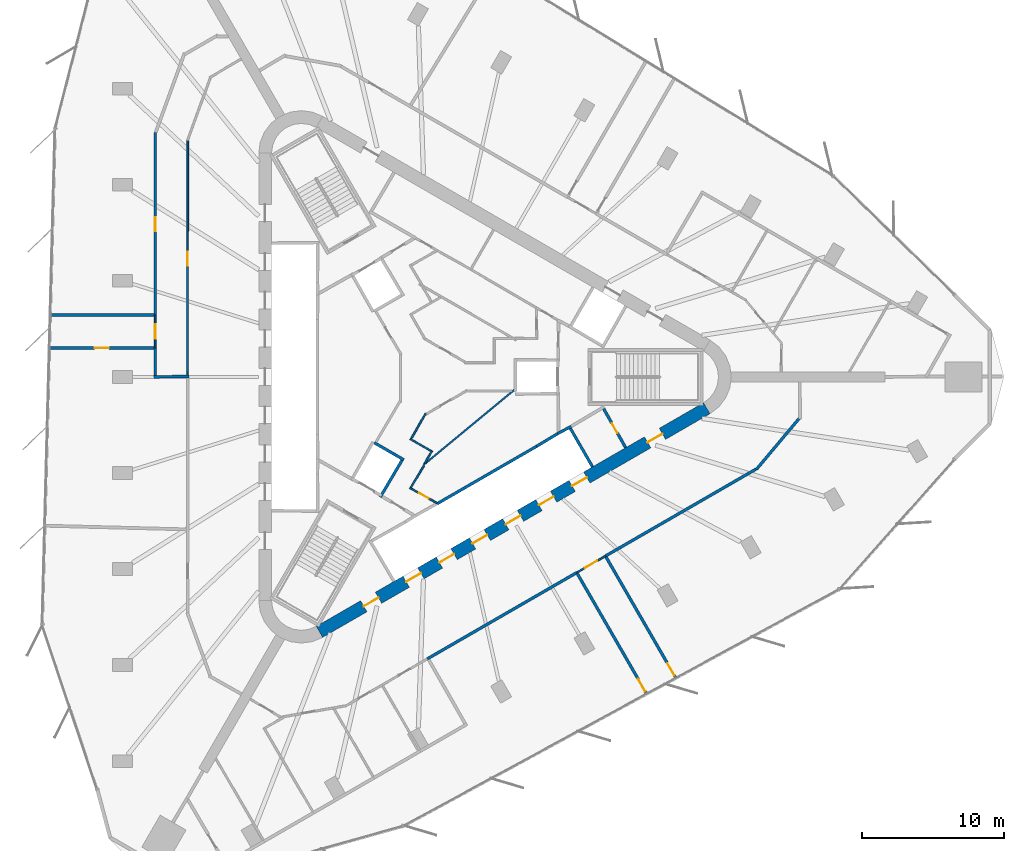
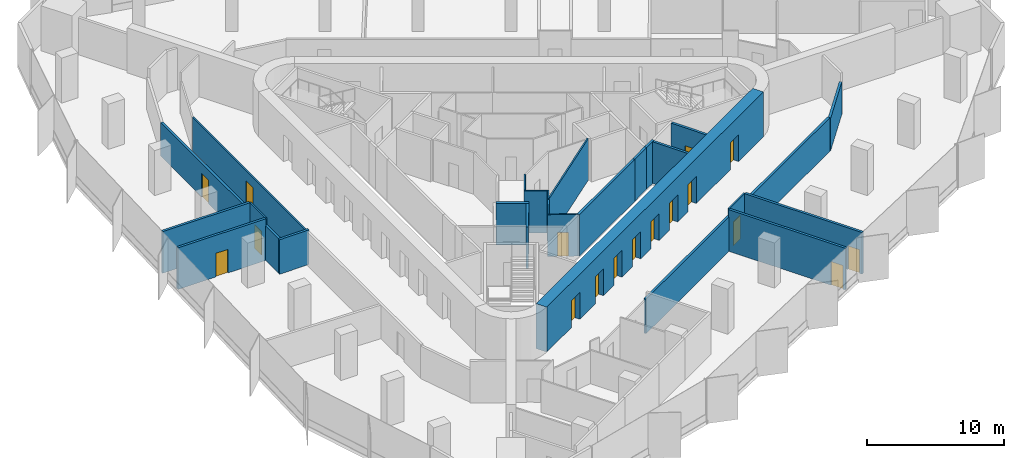
# One storey, part 9 of 14: 27 walls, 17 doors, 17 openings.
"""IFC4 building model written with IfcOpenShell, lengths in metres."""

from ifc_helpers import new_model, si_unit, direction, frame, frame_2d, origin, place, context, subcontext, project, spatial, rectangle, extrude, material, layer, layer_set, type_object, element, fill, save


model = new_model("IFC4")

# Units and contexts
model_context = context("Model", 3, precision=1e-05, world=origin(), true_north=direction((0.0, 1.0)))
body_context = subcontext(model_context, "Body", "Model", "MODEL_VIEW")
ifc_project = project(units=[si_unit("LENGTHUNIT", "METRE"), si_unit("AREAUNIT", "SQUARE_METRE"), si_unit("VOLUMEUNIT", "CUBIC_METRE"), si_unit("PLANEANGLEUNIT", "RADIAN"), si_unit("MASSUNIT", "GRAM", prefix="KILO")], contexts=[model_context])

# Site, building, storey
site_placement = place(None, origin())
site = spatial("IfcSite", under=ifc_project, at=site_placement, CompositionType="ELEMENT")
building_placement = place(site_placement, origin())
building = spatial("IfcBuilding", under=site, at=building_placement, Name="Tanit Gate Tower", CompositionType="ELEMENT")
storey_placement = place(building_placement, frame((0.0, 0.0, 245.199951171875)))
storey = spatial("IfcBuildingStorey", under=building, at=storey_placement, Name="L55", CompositionType="ELEMENT", Elevation=245.199951171875)

# Wall, openings, doors
ifc_material_1 = material(Name="Concrete C50/60", Category="concrete")
ifc_layer_1 = layer(ifc_material_1, 0.89990234375)
ifc_layer_set_1 = layer_set([ifc_layer_1], Name="CORE WALL 900 C50/60")
wall_type_1 = type_object("IfcWallType", Name="CORE WALL 900 C50/60", PredefinedType="SHEAR", material=ifc_layer_set_1)
wall_1_placement = place(storey_placement, frame((-7.824951171875, -17.969970703125, 0.0), z_axis=(0.0, 0.0, 1.0), x_axis=(0.866028369851, 0.499994862586, 0.0)))
wall_1 = element("IfcWall", 1, at=wall_1_placement, inside=storey, type_object=wall_type_1, Name="CORE WALL", PredefinedType="SHEAR", context=body_context, shape_type="SweptSolid", body=[
    extrude(rectangle(XDim=31.523193359375, YDim=0.89990234375, at=frame_2d((15.76171875, 0.0))), origin(), (0.0, 0.0, 1.0), 4.0),
])
opening_1_placement = place(wall_1_placement, frame((7.061767578125, 0.0, 0.0)))
opening_1 = element("IfcOpeningElement", 2, at=opening_1_placement, cuts=wall_1, Name="Opening LDSX1-S15", PredefinedType="OPENING", context=body_context, shape_type="SweptSolid", body=[
    extrude(rectangle(XDim=1.199951171875, YDim=2.39990234375, at=frame_2d((0.60009765625, 1.199951171875))), frame((0.0, 0.4599609375, 0.0), z_axis=(0.0, -1.0, 0.0), x_axis=(1.0, 0.0, 0.0)), (0.0, 0.0, 1.0), 0.919921875),
])
opening_2_placement = place(wall_1_placement, frame((9.76171875, 0.0, 0.0)))
opening_2 = element("IfcOpeningElement", 3, at=opening_2_placement, cuts=wall_1, Name="Opening LDSX2-S15", PredefinedType="OPENING", context=body_context, shape_type="SweptSolid", body=[
    extrude(rectangle(XDim=1.199951171875, YDim=2.39990234375, at=frame_2d((0.60009765625, 1.199951171875))), frame((0.0, 0.4599609375, 0.0), z_axis=(0.0, -1.0, 0.0), x_axis=(1.0, 0.0, 0.0)), (0.0, 0.0, 1.0), 0.919921875),
])
opening_3_placement = place(wall_1_placement, frame((12.461669921875, 0.0, 0.0)))
opening_3 = element("IfcOpeningElement", 4, at=opening_3_placement, cuts=wall_1, Name="Opening LDSX3-S15", PredefinedType="OPENING", context=body_context, shape_type="SweptSolid", body=[
    extrude(rectangle(XDim=1.199951171875, YDim=2.39990234375, at=frame_2d((0.60009765625, 1.199951171875))), frame((0.0, 0.4599609375, 0.0), z_axis=(0.0, -1.0, 0.0), x_axis=(1.0, 0.0, 0.0)), (0.0, 0.0, 1.0), 0.919921875),
])
opening_4_placement = place(wall_1_placement, frame((15.16162109375, 0.0, 0.0)))
opening_4 = element("IfcOpeningElement", 5, at=opening_4_placement, cuts=wall_1, Name="Opening LDSX4-S15", PredefinedType="OPENING", context=body_context, shape_type="SweptSolid", body=[
    extrude(rectangle(XDim=1.199951171875, YDim=2.39990234375, at=frame_2d((0.60009765625, 1.199951171875))), frame((0.0, 0.4599609375, 0.0), z_axis=(0.0, -1.0, 0.0), x_axis=(1.0, 0.0, 0.0)), (0.0, 0.0, 1.0), 0.919921875),
])
opening_5_placement = place(wall_1_placement, frame((17.861572265625, 0.0, 0.0)))
opening_5 = element("IfcOpeningElement", 6, at=opening_5_placement, cuts=wall_1, Name="Opening LDSV1-S15", PredefinedType="OPENING", context=body_context, shape_type="SweptSolid", body=[
    extrude(rectangle(XDim=1.199951171875, YDim=2.39990234375, at=frame_2d((0.60009765625, 1.199951171875))), frame((0.0, 0.4599609375, 0.0), z_axis=(0.0, -1.0, 0.0), x_axis=(1.0, 0.0, 0.0)), (0.0, 0.0, 1.0), 0.919921875),
])
opening_6_placement = place(wall_1_placement, frame((20.561767578125, 0.0, 0.0)))
opening_6 = element("IfcOpeningElement", 7, at=opening_6_placement, cuts=wall_1, Name="Opening LDSV2-S15", PredefinedType="OPENING", context=body_context, shape_type="SweptSolid", body=[
    extrude(rectangle(XDim=1.199951171875, YDim=2.39990234375, at=frame_2d((0.60009765625, 1.199951171875))), frame((0.0, 0.4599609375, 0.0), z_axis=(0.0, -1.0, 0.0), x_axis=(1.0, 0.0, 0.0)), (0.0, 0.0, 1.0), 0.919921875),
])
opening_7_placement = place(wall_1_placement, frame((26.711669921875, 0.0, 0.0)))
opening_7 = element("IfcOpeningElement", 8, at=opening_7_placement, cuts=wall_1, Name="Opening F12-S15-S1", PredefinedType="OPENING", context=body_context, shape_type="SweptSolid", body=[
    extrude(rectangle(XDim=1.199951171875, YDim=2.39990234375, at=frame_2d((0.60009765625, 1.199951171875))), frame((0.0, 0.4599609375, 0.0), z_axis=(0.0, -1.0, 0.0), x_axis=(1.0, 0.0, 0.0)), (0.0, 0.0, 1.0), 0.919921875),
])
opening_8_placement = place(wall_1_placement, frame((3.611572265625, 0.0, 0.0)))
opening_8 = element("IfcOpeningElement", 9, at=opening_8_placement, cuts=wall_1, Name="Opening F12-S15-FL3", PredefinedType="OPENING", context=body_context, shape_type="SweptSolid", body=[
    extrude(rectangle(XDim=1.199951171875, YDim=2.39990234375, at=frame_2d((0.60009765625, 1.199951171875))), frame((0.0, 0.4599609375, 0.0), z_axis=(0.0, -1.0, 0.0), x_axis=(1.0, 0.0, 0.0)), (0.0, 0.0, 1.0), 0.919921875),
])
ifc_material_2 = material(Name="Fire-rated steel door leaf", Category="steel")
door_type_1 = type_object("IfcDoorType", Name="INT-DOOR-FIRE-LOBBY-1200", OperationType="NOTDEFINED", PredefinedType="USERDEFINED", material=ifc_material_2)
door_1_placement = place(opening_7_placement, origin())
door_1 = element("IfcDoor", 10, at=door_1_placement, inside=storey, type_object=door_type_1, Name="Door F12-S15-S1", ObjectType="FIRE DOOR", OperationType="SINGLE_SWING_RIGHT", OverallHeight=2.39990234375, OverallWidth=1.199951171875, PredefinedType="USERDEFINED", context=body_context, shape_type="SweptSolid", body=[
    extrude(rectangle(XDim=1.199951171875, YDim=2.39990234375, at=frame_2d((0.60009765625, 1.199951171875))), frame((0.0, 0.02490234375, 0.0), z_axis=(0.0, -1.0, 0.0), x_axis=(1.0, 0.0, 0.0)), (0.0, 0.0, 1.0), 0.050048828125),
])
fill(opening_7, door_1)
door_2_placement = place(opening_8_placement, origin())
door_2 = element("IfcDoor", 11, at=door_2_placement, inside=storey, type_object=door_type_1, Name="Door F12-S15-FL3", ObjectType="FIRE DOOR", OperationType="SINGLE_SWING_LEFT", OverallHeight=2.39990234375, OverallWidth=1.199951171875, PredefinedType="USERDEFINED", context=body_context, shape_type="SweptSolid", body=[
    extrude(rectangle(XDim=1.199951171875, YDim=2.39990234375, at=frame_2d((0.60009765625, 1.199951171875))), frame((0.0, 0.02490234375, 0.0), z_axis=(0.0, -1.0, 0.0), x_axis=(1.0, 0.0, 0.0)), (0.0, 0.0, 1.0), 0.050048828125),
])
fill(opening_8, door_2)
ifc_material_3 = material(Name="Stainless steel sliding door leaf", Category="steel")
door_type_2 = type_object("IfcDoorType", Name="INT-DOOR-LANDING-1200", OperationType="NOTDEFINED", PredefinedType="USERDEFINED", material=ifc_material_3)
door_3_placement = place(opening_1_placement, origin())
door_3 = element("IfcDoor", 12, at=door_3_placement, inside=storey, type_object=door_type_2, Name="Door LDSX1-S15", ObjectType="LANDING DOOR", OperationType="SLIDING_TO_LEFT", OverallHeight=2.39990234375, OverallWidth=1.199951171875, PredefinedType="USERDEFINED", context=body_context, shape_type="SweptSolid", body=[
    extrude(rectangle(XDim=1.199951171875, YDim=2.39990234375, at=frame_2d((0.60009765625, 1.199951171875))), frame((0.0, 0.02490234375, 0.0), z_axis=(0.0, -1.0, 0.0), x_axis=(1.0, 0.0, 0.0)), (0.0, 0.0, 1.0), 0.050048828125),
])
fill(opening_1, door_3)
door_4_placement = place(opening_2_placement, origin())
door_4 = element("IfcDoor", 13, at=door_4_placement, inside=storey, type_object=door_type_2, Name="Door LDSX2-S15", ObjectType="LANDING DOOR", OperationType="SLIDING_TO_LEFT", OverallHeight=2.39990234375, OverallWidth=1.199951171875, PredefinedType="USERDEFINED", context=body_context, shape_type="SweptSolid", body=[
    extrude(rectangle(XDim=1.199951171875, YDim=2.39990234375, at=frame_2d((0.60009765625, 1.199951171875))), frame((0.0, 0.02490234375, 0.0), z_axis=(0.0, -1.0, 0.0), x_axis=(1.0, 0.0, 0.0)), (0.0, 0.0, 1.0), 0.050048828125),
])
fill(opening_2, door_4)
door_5_placement = place(opening_3_placement, origin())
door_5 = element("IfcDoor", 14, at=door_5_placement, inside=storey, type_object=door_type_2, Name="Door LDSX3-S15", ObjectType="LANDING DOOR", OperationType="SLIDING_TO_LEFT", OverallHeight=2.39990234375, OverallWidth=1.199951171875, PredefinedType="USERDEFINED", context=body_context, shape_type="SweptSolid", body=[
    extrude(rectangle(XDim=1.199951171875, YDim=2.39990234375, at=frame_2d((0.60009765625, 1.199951171875))), frame((0.0, 0.02490234375, 0.0), z_axis=(0.0, -1.0, 0.0), x_axis=(1.0, 0.0, 0.0)), (0.0, 0.0, 1.0), 0.050048828125),
])
fill(opening_3, door_5)
door_6_placement = place(opening_4_placement, origin())
door_6 = element("IfcDoor", 15, at=door_6_placement, inside=storey, type_object=door_type_2, Name="Door LDSX4-S15", ObjectType="LANDING DOOR", OperationType="SLIDING_TO_LEFT", OverallHeight=2.39990234375, OverallWidth=1.199951171875, PredefinedType="USERDEFINED", context=body_context, shape_type="SweptSolid", body=[
    extrude(rectangle(XDim=1.199951171875, YDim=2.39990234375, at=frame_2d((0.60009765625, 1.199951171875))), frame((0.0, 0.02490234375, 0.0), z_axis=(0.0, -1.0, 0.0), x_axis=(1.0, 0.0, 0.0)), (0.0, 0.0, 1.0), 0.050048828125),
])
fill(opening_4, door_6)
door_7_placement = place(opening_5_placement, origin())
door_7 = element("IfcDoor", 16, at=door_7_placement, inside=storey, type_object=door_type_2, Name="Door LDSV1-S15", ObjectType="LANDING DOOR", OperationType="SLIDING_TO_LEFT", OverallHeight=2.39990234375, OverallWidth=1.199951171875, PredefinedType="USERDEFINED", context=body_context, shape_type="SweptSolid", body=[
    extrude(rectangle(XDim=1.199951171875, YDim=2.39990234375, at=frame_2d((0.60009765625, 1.199951171875))), frame((0.0, 0.02490234375, 0.0), z_axis=(0.0, -1.0, 0.0), x_axis=(1.0, 0.0, 0.0)), (0.0, 0.0, 1.0), 0.050048828125),
])
fill(opening_5, door_7)
door_8_placement = place(opening_6_placement, origin())
door_8 = element("IfcDoor", 17, at=door_8_placement, inside=storey, type_object=door_type_2, Name="Door LDSV2-S15", ObjectType="LANDING DOOR", OperationType="SLIDING_TO_LEFT", OverallHeight=2.39990234375, OverallWidth=1.199951171875, PredefinedType="USERDEFINED", context=body_context, shape_type="SweptSolid", body=[
    extrude(rectangle(XDim=1.199951171875, YDim=2.39990234375, at=frame_2d((0.60009765625, 1.199951171875))), frame((0.0, 0.02490234375, 0.0), z_axis=(0.0, -1.0, 0.0), x_axis=(1.0, 0.0, 0.0)), (0.0, 0.0, 1.0), 0.050048828125),
])
fill(opening_6, door_8)

# Wall, opening, door
ifc_material_4 = material(Name="Fire-rated gypsum board partition")
ifc_layer_2 = layer(ifc_material_4, 0.199951171875)
ifc_layer_set_2 = layer_set([ifc_layer_2], Name="INT-WALL-COMPARTMENT")
wall_type_2 = type_object("IfcWallType", Name="INT-WALL-COMPARTMENT", PredefinedType="PARTITIONING", material=ifc_layer_set_2)
wall_2_placement = place(storey_placement, frame((13.758056640625, -4.989501953125, 0.0), z_axis=(0.0, 0.0, 1.0), x_axis=(-0.491993409184, 0.87059892334, 0.0)))
wall_2 = element("IfcWall", 18, at=wall_2_placement, inside=storey, type_object=wall_type_2, Name="Wall Compartment W058", PredefinedType="PARTITIONING", context=body_context, shape_type="SweptSolid", body=[
    extrude(rectangle(XDim=3.150146484375, YDim=0.199951171875, at=frame_2d((1.5751953125, 0.0))), origin(), (0.0, 0.0, 1.0), 3.699951171875),
])
opening_9_placement = place(wall_2_placement, frame((1.175048828125, 0.0, 0.0)))
opening_9 = element("IfcOpeningElement", 19, at=opening_9_placement, cuts=wall_2, Name="Opening R08-S15-17", PredefinedType="OPENING", context=body_context, shape_type="SweptSolid", body=[
    extrude(rectangle(XDim=0.800048828125, YDim=2.10009765625, at=frame_2d((0.39990234375, 1.050048828125))), frame((0.0, 0.10986328125, 0.0), z_axis=(0.0, -1.0, 0.0), x_axis=(1.0, 0.0, 0.0)), (0.0, 0.0, 1.0), 0.219970703125),
])
ifc_material_5 = material(Name="Timber door leaf", Category="wood")
door_type_3 = type_object("IfcDoorType", Name="INT-DOOR-RISER-800", OperationType="NOTDEFINED", PredefinedType="USERDEFINED", material=ifc_material_5)
door_9_placement = place(opening_9_placement, origin())
door_9 = element("IfcDoor", 20, at=door_9_placement, inside=storey, type_object=door_type_3, Name="Door R08-S15-17", ObjectType="FIRE DOOR", OperationType="SINGLE_SWING_LEFT", OverallHeight=2.10009765625, OverallWidth=0.800048828125, PredefinedType="USERDEFINED", context=body_context, shape_type="SweptSolid", body=[
    extrude(rectangle(XDim=0.800048828125, YDim=2.10009765625, at=frame_2d((0.39990234375, 1.050048828125))), frame((0.0, 0.02490234375, 0.0), z_axis=(0.0, -1.0, 0.0), x_axis=(1.0, 0.0, 0.0)), (0.0, 0.0, 1.0), 0.050048828125),
])
fill(opening_9, door_9)

# Wall
wall_3_placement = place(storey_placement, frame((-19.5, -0.001220703125, 0.0), z_axis=(0.0, 0.0, 1.0), x_axis=(0.999915662945, 0.012987185857, 0.0)))
element("IfcWall", 21, at=wall_3_placement, inside=storey, type_object=wall_type_2, Name="Wall Compartment W092", PredefinedType="PARTITIONING", context=body_context, shape_type="SweptSolid", body=[
    extrude(rectangle(XDim=2.500244140625, YDim=0.199951171875, at=frame_2d((1.25, 0.0))), origin(), (0.0, 0.0, 1.0), 3.070068359375),
])

# Wall, opening, door
wall_4_placement = place(storey_placement, frame((-19.39990234375, 17.228271484375, 0.0), z_axis=(0.0, 0.0, 1.0), x_axis=(0.0, -1.0, 0.0)))
wall_4 = element("IfcWall", 22, at=wall_4_placement, inside=storey, type_object=wall_type_2, Name="Wall Compartment W094", PredefinedType="PARTITIONING", context=body_context, shape_type="SweptSolid", body=[
    extrude(rectangle(XDim=12.878173828125, YDim=0.199951171875, at=frame_2d((6.43896484375, 0.0))), origin(), (0.0, 0.0, 1.0), 2.97998046875),
])
opening_10_placement = place(wall_4_placement, frame((5.97900390625, 0.0, 0.0)))
opening_10 = element("IfcOpeningElement", 23, at=opening_10_placement, cuts=wall_4, Name="Opening F10-S15-33", PredefinedType="OPENING", context=body_context, shape_type="SweptSolid", body=[
    extrude(rectangle(XDim=1.0, YDim=2.10009765625, at=frame_2d((0.5, 1.050048828125))), frame((0.0, 0.10986328125, 0.0), z_axis=(0.0, -1.0, 0.0), x_axis=(1.0, 0.0, 0.0)), (0.0, 0.0, 1.0), 0.219970703125),
])
ifc_material_6 = material(Name="Fire-rated steel door leaf", Category="steel")
door_type_4 = type_object("IfcDoorType", Name="INT-DOOR-FIRE-1000", OperationType="NOTDEFINED", PredefinedType="USERDEFINED", material=ifc_material_6)
door_10_placement = place(opening_10_placement, origin())
door_10 = element("IfcDoor", 24, at=door_10_placement, inside=storey, type_object=door_type_4, Name="Door F10-S15-33", ObjectType="FIRE DOOR", OperationType="SINGLE_SWING_LEFT", OverallHeight=2.10009765625, OverallWidth=1.0, PredefinedType="USERDEFINED", context=body_context, shape_type="SweptSolid", body=[
    extrude(rectangle(XDim=1.0, YDim=2.10009765625, at=frame_2d((0.5, 1.050048828125))), frame((0.0, 0.02490234375, 0.0), z_axis=(0.0, -1.0, 0.0), x_axis=(1.0, 0.0, 0.0)), (0.0, 0.0, 1.0), 0.050048828125),
])
fill(opening_10, door_10)

# Walls
wall_5_placement = place(storey_placement, frame((-19.39990234375, 2.050048828125, 0.0), z_axis=(0.0, 0.0, 1.0), x_axis=(0.0, -1.0, 0.0)))
element("IfcWall", 25, at=wall_5_placement, inside=storey, type_object=wall_type_2, Name="Wall Compartment W093", PredefinedType="PARTITIONING", context=body_context, shape_type="SweptSolid", body=[
    extrude(rectangle(XDim=1.949951171875, YDim=0.199951171875, at=frame_2d((0.97509765625, 0.0))), origin(), (0.0, 0.0, 1.0), 3.070068359375),
])
wall_6_placement = place(storey_placement, frame((22.968017578125, -6.5244140625, 0.0), z_axis=(0.0, 0.0, 1.0), x_axis=(0.642764400317, 0.766063917493, 0.0)))
element("IfcWall", 26, at=wall_6_placement, inside=storey, type_object=wall_type_2, Name="Wall Compartment W115", PredefinedType="PARTITIONING", context=body_context, shape_type="SweptSolid", body=[
    extrude(rectangle(XDim=4.740234375, YDim=0.199951171875, at=frame_2d((2.3701171875, 0.0))), origin(), (0.0, 0.0, 1.0), 2.880126953125),
])
wall_7_placement = place(storey_placement, frame((-0.222900390625, -19.8740234375, 0.0), z_axis=(0.0, 0.0, 1.0), x_axis=(0.866025366729, 0.500000064182, 0.0)))
element("IfcWall", 27, at=wall_7_placement, inside=storey, type_object=wall_type_2, Name="Wall Compartment W117", PredefinedType="PARTITIONING", context=body_context, shape_type="SweptSolid", body=[
    extrude(rectangle(XDim=12.18017578125, YDim=0.199951171875, at=frame_2d((6.090087890625, 0.0))), origin(), (0.0, 0.0, 1.0), 3.070068359375),
])
wall_8_placement = place(storey_placement, frame((12.317138671875, -12.634033203125, 0.0), z_axis=(0.0, 0.0, 1.0), x_axis=(0.866028561818, 0.499994530085, 0.0)))
element("IfcWall", 28, at=wall_8_placement, inside=storey, type_object=wall_type_2, Name="Wall Compartment W116", PredefinedType="PARTITIONING", context=body_context, shape_type="SweptSolid", body=[
    extrude(rectangle(XDim=12.272705078125, YDim=0.199951171875, at=frame_2d((6.13623046875, 0.0))), origin(), (0.0, 0.0, 1.0), 2.97998046875),
])

# Wall, opening, door
wall_9_placement = place(storey_placement, frame((-26.858154296875, 2.030029296875, 0.0), z_axis=(0.0, 0.0, 1.0), x_axis=(1.0, 0.0, 0.0)))
wall_9 = element("IfcWall", 29, at=wall_9_placement, inside=storey, type_object=wall_type_2, Name="Wall Compartment W123", PredefinedType="PARTITIONING", context=body_context, shape_type="SweptSolid", body=[
    extrude(rectangle(XDim=7.398193359375, YDim=0.199951171875, at=frame_2d((3.69921875, 0.0))), origin(), (0.0, 0.0, 1.0), 3.699951171875),
])
opening_11_placement = place(wall_9_placement, frame((3.198974609375, 0.0, 0.0)))
opening_11 = element("IfcOpeningElement", 30, at=opening_11_placement, cuts=wall_9, Name="Opening F10-S15-32", PredefinedType="OPENING", context=body_context, shape_type="SweptSolid", body=[
    extrude(rectangle(XDim=1.0, YDim=2.10009765625, at=frame_2d((0.5, 1.050048828125))), frame((0.0, 0.10986328125, 0.0), z_axis=(0.0, -1.0, 0.0), x_axis=(1.0, 0.0, 0.0)), (0.0, 0.0, 1.0), 0.219970703125),
])
door_11_placement = place(opening_11_placement, origin())
door_11 = element("IfcDoor", 31, at=door_11_placement, inside=storey, type_object=door_type_4, Name="Door F10-S15-32", ObjectType="FIRE DOOR", OperationType="SINGLE_SWING_LEFT", OverallHeight=2.10009765625, OverallWidth=1.0, PredefinedType="USERDEFINED", context=body_context, shape_type="SweptSolid", body=[
    extrude(rectangle(XDim=1.0, YDim=2.10009765625, at=frame_2d((0.5, 1.050048828125))), frame((0.0, 0.02490234375, 0.0), z_axis=(0.0, -1.0, 0.0), x_axis=(1.0, 0.0, 0.0)), (0.0, 0.0, 1.0), 0.050048828125),
])
fill(opening_11, door_11)

# Wall
wall_10_placement = place(storey_placement, frame((-19.4599609375, 4.3701171875, 0.0), z_axis=(0.0, 0.0, 1.0), x_axis=(-1.0, 0.0, 0.0)))
element("IfcWall", 32, at=wall_10_placement, inside=storey, type_object=wall_type_2, Name="Wall Compartment W124", PredefinedType="PARTITIONING", context=body_context, shape_type="SweptSolid", body=[
    extrude(rectangle(XDim=7.33740234375, YDim=0.199951171875, at=frame_2d((3.668701171875, 0.0))), origin(), (0.0, 0.0, 1.0), 3.699951171875),
])

# Wall, opening, door
wall_11_placement = place(storey_placement, frame((17.296630859375, -21.218505859375, 0.0), z_axis=(0.0, 0.0, 1.0), x_axis=(-0.500009542791, 0.866019894181, 0.0)))
wall_11 = element("IfcWall", 33, at=wall_11_placement, inside=storey, type_object=wall_type_2, Name="Wall Compartment W142", PredefinedType="PARTITIONING", context=body_context, shape_type="SweptSolid", body=[
    extrude(rectangle(XDim=9.864013671875, YDim=0.199951171875, at=frame_2d((4.93212890625, 0.0))), origin(), (0.0, 0.0, 1.0), 3.699951171875),
])
opening_12_placement = place(wall_11_placement, frame((0.199951171875, 0.0, 0.0)))
opening_12 = element("IfcOpeningElement", 34, at=opening_12_placement, cuts=wall_11, Name="Opening F10-S15-37", PredefinedType="OPENING", context=body_context, shape_type="SweptSolid", body=[
    extrude(rectangle(XDim=1.0, YDim=2.10009765625, at=frame_2d((0.5, 1.050048828125))), frame((0.0, 0.10986328125, 0.0), z_axis=(0.0, -1.0, 0.0), x_axis=(1.0, 0.0, 0.0)), (0.0, 0.0, 1.0), 0.219970703125),
])
door_12_placement = place(opening_12_placement, origin())
door_12 = element("IfcDoor", 35, at=door_12_placement, inside=storey, type_object=door_type_4, Name="Door F10-S15-37", ObjectType="FIRE DOOR", OperationType="SINGLE_SWING_RIGHT", OverallHeight=2.10009765625, OverallWidth=1.0, PredefinedType="USERDEFINED", context=body_context, shape_type="SweptSolid", body=[
    extrude(rectangle(XDim=1.0, YDim=2.10009765625, at=frame_2d((0.5, 1.050048828125))), frame((0.0, 0.02490234375, 0.0), z_axis=(0.0, -1.0, 0.0), x_axis=(1.0, 0.0, 0.0)), (0.0, 0.0, 1.0), 0.050048828125),
])
fill(opening_12, door_12)

wall_12_placement = place(storey_placement, frame((10.338134765625, -13.845947265625, 0.0), z_axis=(0.0, 0.0, 1.0), x_axis=(0.499993357938, -0.866029238547, 0.0)))
wall_12 = element("IfcWall", 36, at=wall_12_placement, inside=storey, type_object=wall_type_2, Name="Wall Compartment W143", PredefinedType="PARTITIONING", context=body_context, shape_type="SweptSolid", body=[
    extrude(rectangle(XDim=9.803466796875, YDim=0.199951171875, at=frame_2d((4.90185546875, 0.0))), origin(), (0.0, 0.0, 1.0), 3.699951171875),
])
opening_13_placement = place(wall_12_placement, frame((8.603515625, 0.0, 0.0)))
opening_13 = element("IfcOpeningElement", 37, at=opening_13_placement, cuts=wall_12, Name="Opening F10-S15-38", PredefinedType="OPENING", context=body_context, shape_type="SweptSolid", body=[
    extrude(rectangle(XDim=1.0, YDim=2.10009765625, at=frame_2d((0.5, 1.050048828125))), frame((0.0, 0.10986328125, 0.0), z_axis=(0.0, -1.0, 0.0), x_axis=(1.0, 0.0, 0.0)), (0.0, 0.0, 1.0), 0.219970703125),
])
door_13_placement = place(opening_13_placement, origin())
door_13 = element("IfcDoor", 38, at=door_13_placement, inside=storey, type_object=door_type_4, Name="Door F10-S15-38", ObjectType="FIRE DOOR", OperationType="SINGLE_SWING_RIGHT", OverallHeight=2.10009765625, OverallWidth=1.0, PredefinedType="USERDEFINED", context=body_context, shape_type="SweptSolid", body=[
    extrude(rectangle(XDim=1.0, YDim=2.10009765625, at=frame_2d((0.5, 1.050048828125))), frame((0.0, 0.02490234375, 0.0), z_axis=(0.0, -1.0, 0.0), x_axis=(1.0, 0.0, 0.0)), (0.0, 0.0, 1.0), 0.050048828125),
])
fill(opening_13, door_13)

# Walls
ifc_material_7 = material(Name="Gypsum board partition")
ifc_layer_3 = layer(ifc_material_7, 0.1201171875)
ifc_layer_set_3 = layer_set([ifc_layer_3], Name="INT-WALL-PARTITION")
wall_type_3 = type_object("IfcWallType", Name="INT-WALL-PARTITION", PredefinedType="PARTITIONING", material=ifc_layer_set_3)
wall_13_placement = place(storey_placement, frame((5.935546875, -0.893798828125, 0.0), z_axis=(0.0, 0.0, 1.0), x_axis=(-0.770832870475, -0.637037428881, 0.0)))
element("IfcWall", 39, at=wall_13_placement, inside=storey, type_object=wall_type_3, Name="Wall Partition W068", PredefinedType="PARTITIONING", context=body_context, shape_type="SweptSolid", body=[
    extrude(rectangle(XDim=8.331787109375, YDim=0.1201171875, at=frame_2d((4.166015625, 0.0))), origin(), (0.0, 0.0, 1.0), 3.699951171875),
])
wall_14_placement = place(storey_placement, frame((-0.41064453125, -6.111328125, 0.0), z_axis=(0.0, 0.0, 1.0), x_axis=(0.49986229611, 0.866104892567, 0.0)))
element("IfcWall", 40, at=wall_14_placement, inside=storey, type_object=wall_type_3, Name="Wall Partition W069", PredefinedType="PARTITIONING", context=body_context, shape_type="SweptSolid", body=[
    extrude(rectangle(XDim=1.057861328125, YDim=0.1201171875, at=frame_2d((0.52880859375, 0.0))), origin(), (0.0, 0.0, 1.0), 3.699951171875),
])
wall_15_placement = place(storey_placement, frame((-1.43603515625, -4.3671875, 0.0), z_axis=(0.0, 0.0, 1.0), x_axis=(0.866087547558, -0.499892348375, 0.0)))
element("IfcWall", 41, at=wall_15_placement, inside=storey, type_object=wall_type_3, Name="Wall Partition W070", PredefinedType="PARTITIONING", context=body_context, shape_type="SweptSolid", body=[
    extrude(rectangle(XDim=1.699951171875, YDim=0.1201171875, at=frame_2d((0.85009765625, 0.0))), origin(), (0.0, 0.0, 1.0), 3.699951171875),
])
wall_16_placement = place(storey_placement, frame((-0.337646484375, -2.5849609375, 0.0), z_axis=(0.0, 0.0, 1.0), x_axis=(-0.50002743572, -0.866009563185, 0.0)))
element("IfcWall", 42, at=wall_16_placement, inside=storey, type_object=wall_type_3, Name="Wall Partition W071", PredefinedType="PARTITIONING", context=body_context, shape_type="SweptSolid", body=[
    extrude(rectangle(XDim=2.03271484375, YDim=0.1201171875, at=frame_2d((1.016357421875, 0.0))), origin(), (0.0, 0.0, 1.0), 3.699951171875),
])

# Wall, opening, door
wall_17_placement = place(storey_placement, frame((-1.464111328125, -7.81591796875, 0.0), z_axis=(0.0, 0.0, 1.0), x_axis=(0.871880202732, -0.489719217597, 0.0)))
wall_17 = element("IfcWall", 43, at=wall_17_placement, inside=storey, type_object=wall_type_3, Name="Wall Partition W074", PredefinedType="PARTITIONING", context=body_context, shape_type="SweptSolid", body=[
    extrude(rectangle(XDim=2.224365234375, YDim=0.1201171875, at=frame_2d((1.1123046875, 0.0))), origin(), (0.0, 0.0, 1.0), 3.699951171875),
])
opening_14_placement = place(wall_17_placement, frame((0.7421875, 0.0, 0.0)))
opening_14 = element("IfcOpeningElement", 44, at=opening_14_placement, cuts=wall_17, Name="Opening R08-S15-12", PredefinedType="OPENING", context=body_context, shape_type="SweptSolid", body=[
    extrude(rectangle(XDim=0.800048828125, YDim=2.10009765625, at=frame_2d((0.39990234375, 1.050048828125))), frame((0.0, 0.070068359375, 0.0), z_axis=(0.0, -1.0, 0.0), x_axis=(1.0, 0.0, 0.0)), (0.0, 0.0, 1.0), 0.14013671875),
])
door_14_placement = place(opening_14_placement, origin())
door_14 = element("IfcDoor", 45, at=door_14_placement, inside=storey, type_object=door_type_3, Name="Door R08-S15-12", ObjectType="FIRE DOOR", OperationType="SINGLE_SWING_RIGHT", OverallHeight=2.10009765625, OverallWidth=0.800048828125, PredefinedType="USERDEFINED", context=body_context, shape_type="SweptSolid", body=[
    extrude(rectangle(XDim=0.800048828125, YDim=2.10009765625, at=frame_2d((0.39990234375, 1.050048828125))), frame((0.0, 0.02490234375, 0.0), z_axis=(0.0, -1.0, 0.0), x_axis=(1.0, 0.0, 0.0)), (0.0, 0.0, 1.0), 0.050048828125),
])
fill(opening_14, door_14)

# Wall
wall_18_placement = place(storey_placement, frame((-0.46337890625, -6.256591796875, 0.0), z_axis=(0.0, 0.0, 1.0), x_axis=(-0.512528878122, -0.858669988466, 0.0)))
element("IfcWall", 46, at=wall_18_placement, inside=storey, type_object=wall_type_3, Name="Wall Partition W075", PredefinedType="PARTITIONING", context=body_context, shape_type="SweptSolid", body=[
    extrude(rectangle(XDim=1.7900390625, YDim=0.1201171875, at=frame_2d((0.89501953125, 0.0))), origin(), (0.0, 0.0, 1.0), 3.699951171875),
])

# Wall, opening, door
wall_19_placement = place(storey_placement, frame((-17.1298828125, 0.0, 0.0), z_axis=(0.0, 0.0, 1.0), x_axis=(0.001787542932, 0.999998402344, 0.0)))
wall_19 = element("IfcWall", 47, at=wall_19_placement, inside=storey, type_object=wall_type_3, Name="Wall Partition W090", PredefinedType="PARTITIONING", context=body_context, shape_type="SweptSolid", body=[
    extrude(rectangle(XDim=16.66259765625, YDim=0.1201171875, at=frame_2d((8.331298828125, 0.0))), origin(), (0.0, 0.0, 1.0), 2.97998046875),
])
opening_15_placement = place(wall_19_placement, frame((7.831298828125, 0.0, 0.0)))
opening_15 = element("IfcOpeningElement", 48, at=opening_15_placement, cuts=wall_19, Name="Opening D10-S15-18", PredefinedType="OPENING", context=body_context, shape_type="SweptSolid", body=[
    extrude(rectangle(XDim=1.0, YDim=2.10009765625, at=frame_2d((0.5, 1.050048828125))), frame((0.0, 0.070068359375, 0.0), z_axis=(0.0, -1.0, 0.0), x_axis=(1.0, 0.0, 0.0)), (0.0, 0.0, 1.0), 0.14013671875),
])
ifc_material_8 = material(Name="Timber door leaf", Category="wood")
door_type_5 = type_object("IfcDoorType", Name="INT-DOOR-SINGLE-1000", OperationType="NOTDEFINED", PredefinedType="NOTDEFINED", material=ifc_material_8)
door_15_placement = place(opening_15_placement, origin())
door_15 = element("IfcDoor", 49, at=door_15_placement, inside=storey, type_object=door_type_5, Name="Door D10-S15-18", OperationType="SINGLE_SWING_RIGHT", OverallHeight=2.10009765625, OverallWidth=1.0, PredefinedType="NOTDEFINED", context=body_context, shape_type="SweptSolid", body=[
    extrude(rectangle(XDim=1.0, YDim=2.10009765625, at=frame_2d((0.5, 1.050048828125))), frame((0.0, 0.02490234375, 0.0), z_axis=(0.0, -1.0, 0.0), x_axis=(1.0, 0.0, 0.0)), (0.0, 0.0, 1.0), 0.050048828125),
])
fill(opening_15, door_15)

wall_20_placement = place(storey_placement, frame((-19.39990234375, 4.35009765625, 0.0), z_axis=(0.0, 0.0, 1.0), x_axis=(0.0, -1.0, 0.0)))
wall_20 = element("IfcWall", 50, at=wall_20_placement, inside=storey, type_object=wall_type_3, Name="Wall Partition W091", PredefinedType="PARTITIONING", context=body_context, shape_type="SweptSolid", body=[
    extrude(rectangle(XDim=2.300048828125, YDim=0.1201171875, at=frame_2d((1.14990234375, 0.0))), origin(), (0.0, 0.0, 1.0), 3.699951171875),
])
opening_16_placement = place(wall_20_placement, frame((0.64990234375, 0.0, 0.0)))
opening_16 = element("IfcOpeningElement", 51, at=opening_16_placement, cuts=wall_20, Name="Opening D10-S15-19", PredefinedType="OPENING", context=body_context, shape_type="SweptSolid", body=[
    extrude(rectangle(XDim=1.0, YDim=2.10009765625, at=frame_2d((0.5, 1.050048828125))), frame((0.0, 0.070068359375, 0.0), z_axis=(0.0, -1.0, 0.0), x_axis=(1.0, 0.0, 0.0)), (0.0, 0.0, 1.0), 0.14013671875),
])
door_16_placement = place(opening_16_placement, origin())
door_16 = element("IfcDoor", 52, at=door_16_placement, inside=storey, type_object=door_type_5, Name="Door D10-S15-19", OperationType="SINGLE_SWING_LEFT", OverallHeight=2.10009765625, OverallWidth=1.0, PredefinedType="NOTDEFINED", context=body_context, shape_type="SweptSolid", body=[
    extrude(rectangle(XDim=1.0, YDim=2.10009765625, at=frame_2d((0.5, 1.050048828125))), frame((0.0, 0.02490234375, 0.0), z_axis=(0.0, -1.0, 0.0), x_axis=(1.0, 0.0, 0.0)), (0.0, 0.0, 1.0), 0.050048828125),
])
fill(opening_16, door_16)

wall_21_placement = place(storey_placement, frame((12.317138671875, -12.634033203125, 0.0), z_axis=(0.0, 0.0, 1.0), x_axis=(-0.86602648383, -0.499998129301, 0.0)))
wall_21 = element("IfcWall", 53, at=wall_21_placement, inside=storey, type_object=wall_type_3, Name="Wall Partition W113", PredefinedType="PARTITIONING", context=body_context, shape_type="SweptSolid", body=[
    extrude(rectangle(XDim=2.2998046875, YDim=0.1201171875, at=frame_2d((1.14990234375, 0.0))), origin(), (0.0, 0.0, 1.0), 3.699951171875),
])
opening_17_placement = place(wall_21_placement, frame((0.64990234375, 0.0, 0.0)))
opening_17 = element("IfcOpeningElement", 54, at=opening_17_placement, cuts=wall_21, Name="Opening D10-S15-21", PredefinedType="OPENING", context=body_context, shape_type="SweptSolid", body=[
    extrude(rectangle(XDim=1.0, YDim=2.10009765625, at=frame_2d((0.5, 1.050048828125))), frame((0.0, 0.070068359375, 0.0), z_axis=(0.0, -1.0, 0.0), x_axis=(1.0, 0.0, 0.0)), (0.0, 0.0, 1.0), 0.14013671875),
])
door_17_placement = place(opening_17_placement, origin())
door_17 = element("IfcDoor", 55, at=door_17_placement, inside=storey, type_object=door_type_5, Name="Door D10-S15-21", OperationType="SINGLE_SWING_RIGHT", OverallHeight=2.10009765625, OverallWidth=1.0, PredefinedType="NOTDEFINED", context=body_context, shape_type="SweptSolid", body=[
    extrude(rectangle(XDim=1.0, YDim=2.10009765625, at=frame_2d((0.5, 1.050048828125))), frame((0.0, 0.02490234375, 0.0), z_axis=(0.0, -1.0, 0.0), x_axis=(1.0, 0.0, 0.0)), (0.0, 0.0, 1.0), 0.050048828125),
])
fill(opening_17, door_17)

# Walls
ifc_material_9 = material(Name="Gypsum shaft wall system")
ifc_layer_4 = layer(ifc_material_9, 0.199951171875)
ifc_layer_set_4 = layer_set([ifc_layer_4], Name="INT-WALL-SHAFT")
wall_type_4 = type_object("IfcWallType", Name="INT-WALL-SHAFT", PredefinedType="PLUMBINGWALL", material=ifc_layer_set_4)
wall_22_placement = place(storey_placement, frame((0.482666015625, -8.935791015625, 0.0), z_axis=(0.0, 0.0, 1.0), x_axis=(0.866030989016, 0.499990325971, 0.0)))
element("IfcWall", 56, at=wall_22_placement, inside=storey, type_object=wall_type_4, Name="Wall Shaft W023", PredefinedType="PLUMBINGWALL", context=body_context, shape_type="SweptSolid", body=[
    extrude(rectangle(XDim=8.099853515625, YDim=0.199951171875, at=frame_2d((4.0498046875, 0.0))), origin(), (0.0, 0.0, 1.0), 3.699951171875),
])
wall_23_placement = place(storey_placement, frame((9.794677734375, -3.52490234375, 0.0), z_axis=(0.0, 0.0, 1.0), x_axis=(0.499984717929, -0.866034226713, 0.0)))
element("IfcWall", 57, at=wall_23_placement, inside=storey, type_object=wall_type_4, Name="Wall Shaft W016", PredefinedType="PLUMBINGWALL", context=body_context, shape_type="SweptSolid", body=[
    extrude(rectangle(XDim=3.25, YDim=0.199951171875, at=frame_2d((1.625, 0.0))), origin(), (0.0, 0.0, 1.0), 3.699951171875),
])
wall_24_placement = place(storey_placement, frame((8.97412109375, -3.998779296875, 0.0), z_axis=(0.0, 0.0, 1.0), x_axis=(0.880907015104, 0.473289373154, 0.0)))
element("IfcWall", 58, at=wall_24_placement, inside=storey, type_object=wall_type_4, Name="Wall Shaft W017", PredefinedType="PLUMBINGWALL", context=body_context, shape_type="SweptSolid", body=[
    extrude(rectangle(XDim=1.078125, YDim=0.199951171875, at=frame_2d((0.5390625, 0.0))), origin(), (0.0, 0.0, 1.0), 3.699951171875),
])
wall_25_placement = place(storey_placement, frame((7.497314453125, -4.885986328125, 0.0), z_axis=(0.0, 0.0, 1.0), x_axis=(0.857516281273, 0.51445682749, 0.0)))
element("IfcWall", 59, at=wall_25_placement, inside=storey, type_object=wall_type_4, Name="Wall Shaft W018", PredefinedType="PLUMBINGWALL", context=body_context, shape_type="SweptSolid", body=[
    extrude(rectangle(XDim=1.8447265625, YDim=0.199951171875, at=frame_2d((0.92236328125, 0.0))), origin(), (0.0, 0.0, 1.0), 3.699951171875),
])
wall_26_placement = place(storey_placement, frame((-3.95654296875, -4.643798828125, 0.0), z_axis=(0.0, 0.0, 1.0), x_axis=(0.865991127953, -0.500059362782, 0.0)))
element("IfcWall", 60, at=wall_26_placement, inside=storey, type_object=wall_type_4, Name="Wall Shaft W047", PredefinedType="PLUMBINGWALL", context=body_context, shape_type="SweptSolid", body=[
    extrude(rectangle(XDim=2.404541015625, YDim=0.199951171875, at=frame_2d((1.2021484375, 0.0))), origin(), (0.0, 0.0, 1.0), 3.699951171875),
])
wall_27_placement = place(storey_placement, frame((-2.01171875, -5.88232421875, 0.0), z_axis=(0.0, 0.0, 1.0), x_axis=(-0.508619639323, -0.860991325447, 0.0)))
element("IfcWall", 61, at=wall_27_placement, inside=storey, type_object=wall_type_4, Name="Wall Shaft W048", PredefinedType="PLUMBINGWALL", context=body_context, shape_type="SweptSolid", body=[
    extrude(rectangle(XDim=3.0, YDim=0.199951171875, at=frame_2d((1.5, 0.0))), origin(), (0.0, 0.0, 1.0), 3.699951171875),
])

save(model, "model.ifc")
